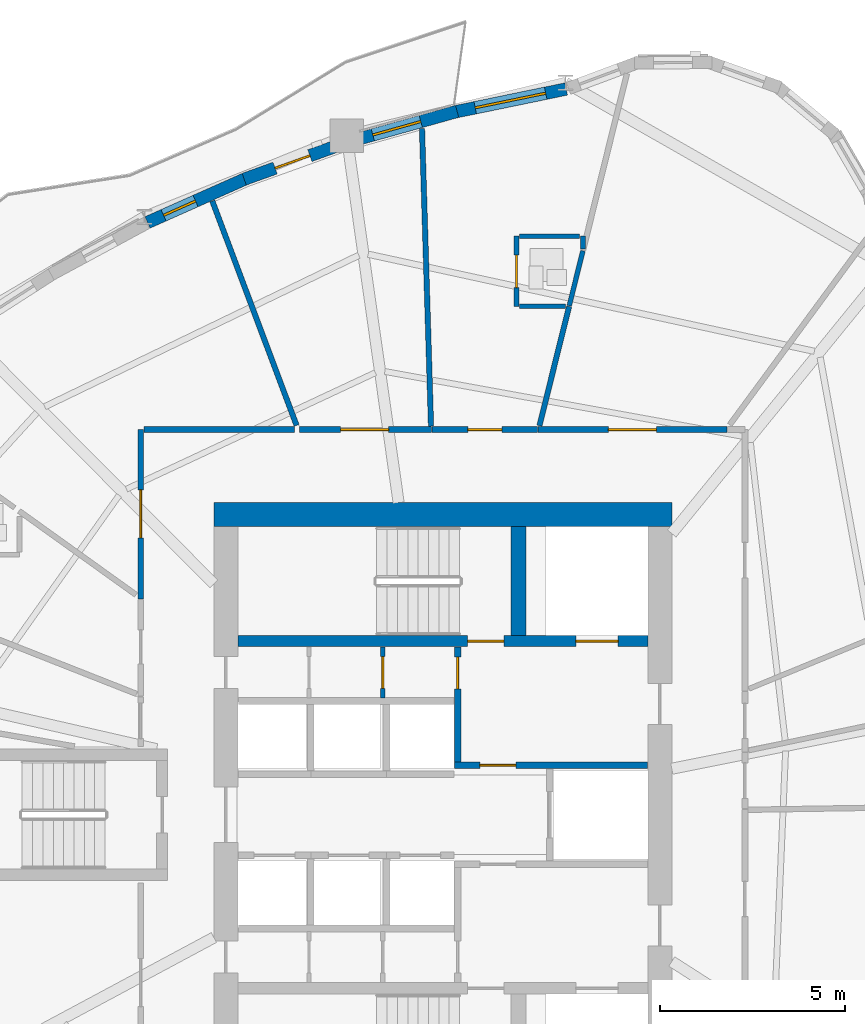
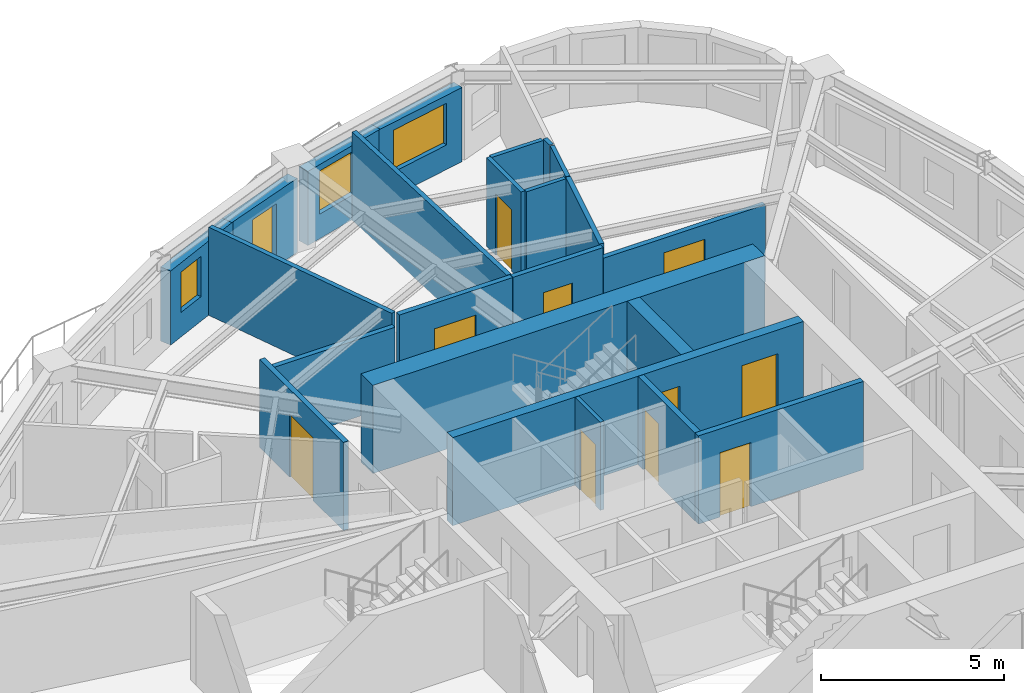
# One storey, part 7 of 14: 23 walls, 11 doors, 3 windows, 14 openings.
"""IFC4 building model written with IfcOpenShell, lengths in metres."""

from ifc_helpers import new_model, si_unit, direction, frame, frame_2d, origin, place, context, subcontext, project, spatial, rectangle, extrude, source, transform, mapped, material, layer, layer_set, type_object, element, fill, save


model = new_model("IFC4")

# Units and contexts
model_context = context("Model", 3, precision=1e-05, world=origin(), true_north=direction((0.0, 1.0)))
body_context = subcontext(model_context, "Body", "Model", "MODEL_VIEW")
ifc_project = project(units=[si_unit("LENGTHUNIT", "METRE"), si_unit("AREAUNIT", "SQUARE_METRE"), si_unit("VOLUMEUNIT", "CUBIC_METRE"), si_unit("PLANEANGLEUNIT", "RADIAN"), si_unit("MASSUNIT", "GRAM", prefix="KILO")], contexts=[model_context])

# Site, building, storey
site_placement = place(None, origin())
site = spatial("IfcSite", under=ifc_project, at=site_placement, CompositionType="ELEMENT")
building_placement = place(site_placement, origin())
building = spatial("IfcBuilding", under=site, at=building_placement, Name="Qafzar Sky-Pleat Residences", CompositionType="ELEMENT")
storey_placement = place(building_placement, frame((0.0, 0.0, 118.39990234375)))
storey = spatial("IfcBuildingStorey", under=building, at=storey_placement, Name="L35", CompositionType="ELEMENT", Elevation=118.39990234375)

# Wall, opening, door
ifc_material_1 = material(Name="Acoustic gypsum plasterboard partition", Category="gypsum")
ifc_layer_1 = layer(ifc_material_1, 0.159912109375)
ifc_layer_set_1 = layer_set([ifc_layer_1], Name="Acoustic gypsum plasterboard partition")
wall_type_1 = type_object("IfcWallType", Name="PART-COR-160", PredefinedType="PARTITIONING", material=ifc_layer_set_1)
wall_1_placement = place(storey_placement, frame((32.925048828125, 36.429931640625, 0.0), z_axis=(0.0, 0.0, 1.0), x_axis=(1.0, 0.0, 0.0)))
wall_1 = element("IfcWall", 1, at=wall_1_placement, inside=storey, type_object=wall_type_1, Name="L35 Partition Wall PART-L35-PW-004", PredefinedType="PARTITIONING", context=body_context, shape_type="SweptSolid", body=[
    extrude(rectangle(XDim=5.117919921875, YDim=0.159912109375, at=frame_2d((2.55908203125, 0.0))), origin(), (0.0, 0.0, 1.0), 2.588134765625),
])
opening_1_placement = place(wall_1_placement, frame((1.907470703125, 0.0, 0.0)))
opening_1 = element("IfcOpeningElement", 2, at=opening_1_placement, cuts=wall_1, Name="Opening ID-05", PredefinedType="OPENING", context=body_context, shape_type="SweptSolid", body=[
    extrude(rectangle(XDim=1.300048828125, YDim=2.10009765625, at=frame_2d((0.64990234375, 1.050048828125))), frame((0.0, 0.08984375, 0.0), z_axis=(0.0, -1.0, 0.0), x_axis=(1.0, 0.0, 0.0)), (0.0, 0.0, 1.0), 0.179931640625),
])
ifc_material_2 = material(Name="Timber-faced fire door", Category="wood")
door_type_1 = type_object("IfcDoorType", Name="DR-LNG-1300", OperationType="DOUBLE_DOOR_SINGLE_SWING", PredefinedType="DOOR", material=ifc_material_2)
shared_shape_1 = source(origin(), body_context, "Body", "SweptSolid", [
    extrude(rectangle(XDim=1.300048828125, YDim=2.10009765625, at=frame_2d((0.64990234375, 1.050048828125))), frame((0.0, 0.02490234375, 0.0), z_axis=(0.0, -1.0, 0.0), x_axis=(1.0, 0.0, 0.0)), (0.0, 0.0, 1.0), 0.050048828125),
])
door_1_placement = place(opening_1_placement, origin())
door_1 = element("IfcDoor", 3, at=door_1_placement, inside=storey, type_object=door_type_1, Name="L35 Tutorial Huddle Room Door", OperationType="DOUBLE_DOOR_SINGLE_SWING", OverallHeight=2.10009765625, OverallWidth=1.300048828125, PredefinedType="DOOR", context=body_context, shape_type="MappedRepresentation", body=[
    mapped(shared_shape_1, transform((0.0, 0.0, 0.0), x_axis=(1.0, 0.0, 0.0), y_axis=(0.0, 1.0, 0.0), z_axis=(0.0, 0.0, 1.0), scale=1.0)),
])
fill(opening_1, door_1)

wall_2_placement = place(storey_placement, frame((22.169921875, 31.843994140625, 0.0), z_axis=(0.0, 0.0, 1.0), x_axis=(0.0, 1.0, 0.0)))
wall_2 = element("IfcWall", 4, at=wall_2_placement, inside=storey, type_object=wall_type_1, Name="L35 Partition Wall PART-L35-PW-007", PredefinedType="PARTITIONING", context=body_context, shape_type="SweptSolid", body=[
    extrude(rectangle(XDim=4.5859375, YDim=0.159912109375, at=frame_2d((2.29296875, 0.0))), origin(), (0.0, 0.0, 1.0), 2.9501953125),
])
opening_2_placement = place(wall_2_placement, frame((1.652587890625, 0.0, 0.0)))
opening_2 = element("IfcOpeningElement", 5, at=opening_2_placement, cuts=wall_2, Name="Opening ID-05", PredefinedType="OPENING", context=body_context, shape_type="SweptSolid", body=[
    extrude(rectangle(XDim=1.300048828125, YDim=2.10009765625, at=frame_2d((0.64990234375, 1.050048828125))), frame((0.0, 0.08984375, 0.0), z_axis=(0.0, -1.0, 0.0), x_axis=(1.0, 0.0, 0.0)), (0.0, 0.0, 1.0), 0.179931640625),
])
door_2_placement = place(opening_2_placement, origin())
door_2 = element("IfcDoor", 6, at=door_2_placement, inside=storey, type_object=door_type_1, Name="L35 Graduate Lecture Room Door", OperationType="DOUBLE_DOOR_SINGLE_SWING", OverallHeight=2.10009765625, OverallWidth=1.300048828125, PredefinedType="DOOR", context=body_context, shape_type="MappedRepresentation", body=[
    mapped(shared_shape_1, transform((0.0, 0.0, 0.0), x_axis=(1.0, 0.0, 0.0), y_axis=(0.0, 1.0, 0.0), z_axis=(0.0, 0.0, 1.0), scale=1.0)),
])
fill(opening_2, door_2)

wall_3_placement = place(storey_placement, frame((26.462890625, 36.429931640625, 0.0), z_axis=(0.0, 0.0, 1.0), x_axis=(1.0, 0.0, 0.0)))
wall_3 = element("IfcWall", 7, at=wall_3_placement, inside=storey, type_object=wall_type_1, Name="L35 Partition Wall PART-L35-PW-009", PredefinedType="PARTITIONING", context=body_context, shape_type="SweptSolid", body=[
    extrude(rectangle(XDim=3.585205078125, YDim=0.159912109375, at=frame_2d((1.79248046875, 0.0))), origin(), (0.0, 0.0, 1.0), 2.9501953125),
])
opening_3_placement = place(wall_3_placement, frame((1.119384765625, 0.0, 0.0)))
opening_3 = element("IfcOpeningElement", 8, at=opening_3_placement, cuts=wall_3, Name="Opening ID-05", PredefinedType="OPENING", context=body_context, shape_type="SweptSolid", body=[
    extrude(rectangle(XDim=1.300048828125, YDim=2.10009765625, at=frame_2d((0.64990234375, 1.050048828125))), frame((0.0, 0.08984375, 0.0), z_axis=(0.0, -1.0, 0.0), x_axis=(1.0, 0.0, 0.0)), (0.0, 0.0, 1.0), 0.179931640625),
])
door_3_placement = place(opening_3_placement, origin())
door_3 = element("IfcDoor", 9, at=door_3_placement, inside=storey, type_object=door_type_1, Name="L35 Communal Kitchen Door", OperationType="DOUBLE_DOOR_SINGLE_SWING", OverallHeight=2.10009765625, OverallWidth=1.300048828125, PredefinedType="DOOR", context=body_context, shape_type="MappedRepresentation", body=[
    mapped(shared_shape_1, transform((0.0, 0.0, 0.0), x_axis=(1.0, 0.0, 0.0), y_axis=(0.0, 1.0, 0.0), z_axis=(0.0, 0.0, 1.0), scale=1.0)),
])
fill(opening_3, door_3)

wall_4_placement = place(storey_placement, frame((30.06298828125, 36.429931640625, 0.0), z_axis=(0.0, 0.0, 1.0), x_axis=(1.0, 0.0, 0.0)))
wall_4 = element("IfcWall", 10, at=wall_4_placement, inside=storey, type_object=wall_type_1, Name="L35 Partition Wall PART-L35-PW-012", PredefinedType="PARTITIONING", context=body_context, shape_type="SweptSolid", body=[
    extrude(rectangle(XDim=2.846923828125, YDim=0.159912109375, at=frame_2d((1.42333984375, 0.0))), origin(), (0.0, 0.0, 1.0), 2.9501953125),
])
opening_4_placement = place(wall_4_placement, frame((0.964111328125, 0.0, 0.0)))
opening_4 = element("IfcOpeningElement", 11, at=opening_4_placement, cuts=wall_4, Name="Opening ID-04", PredefinedType="OPENING", context=body_context, shape_type="SweptSolid", body=[
    extrude(rectangle(XDim=0.919921875, YDim=2.10009765625, at=frame_2d((0.4599609375, 1.050048828125))), frame((0.0, 0.08984375, 0.0), z_axis=(0.0, -1.0, 0.0), x_axis=(1.0, 0.0, 0.0)), (0.0, 0.0, 1.0), 0.179931640625),
])
door_type_2 = type_object("IfcDoorType", Name="DR-BED-920", OperationType="NOTDEFINED", PredefinedType="DOOR", material=ifc_material_2)
shared_shape_2 = source(origin(), body_context, "Body", "SweptSolid", [
    extrude(rectangle(XDim=0.919921875, YDim=2.10009765625, at=frame_2d((0.4599609375, 1.050048828125))), frame((0.0, 0.02490234375, 0.0), z_axis=(0.0, -1.0, 0.0), x_axis=(1.0, 0.0, 0.0)), (0.0, 0.0, 1.0), 0.050048828125),
])
door_4_placement = place(opening_4_placement, origin())
door_4 = element("IfcDoor", 12, at=door_4_placement, inside=storey, type_object=door_type_2, Name="L35 Co-Living Bedroom 1 Door", OperationType="SINGLE_SWING_LEFT", OverallHeight=2.10009765625, OverallWidth=0.919921875, PredefinedType="DOOR", context=body_context, shape_type="MappedRepresentation", body=[
    mapped(shared_shape_2, transform((0.0, 0.0, 0.0), x_axis=(1.0, 0.0, 0.0), y_axis=(0.0, 1.0, 0.0), z_axis=(0.0, 0.0, 1.0), scale=1.0)),
])
fill(opening_4, door_4)

# Wall
wall_5_placement = place(storey_placement, frame((22.258056640625, 36.429931640625, 0.0), z_axis=(0.0, 0.0, 1.0), x_axis=(1.0, 0.0, 0.0)))
element("IfcWall", 13, at=wall_5_placement, inside=storey, type_object=wall_type_1, Name="L35 Partition Wall PART-L35-PW-037", PredefinedType="PARTITIONING", context=body_context, shape_type="SweptSolid", body=[
    extrude(rectangle(XDim=4.074462890625, YDim=0.159912109375, at=frame_2d((2.037109375, 0.0))), origin(), (0.0, 0.0, 1.0), 2.588134765625),
])

# Wall, opening, door
ifc_material_3 = material(Name="Concrete blockwork partition", Category="masonry")
ifc_layer_2 = layer(ifc_material_3, 0.179931640625)
ifc_layer_set_2 = layer_set([ifc_layer_2], Name="Concrete blockwork partition")
wall_type_2 = type_object("IfcWallType", Name="PART-SHAFT-180", PredefinedType="PARTITIONING", material=ifc_layer_set_2)
wall_6_placement = place(storey_placement, frame((30.75, 27.429931640625, 0.0), z_axis=(0.0, 0.0, 1.0), x_axis=(0.0, 1.0, 0.0)))
wall_6 = element("IfcWall", 14, at=wall_6_placement, inside=storey, type_object=wall_type_2, Name="L35 Partition Wall PART-L35-FFL2-W", PredefinedType="PARTITIONING", context=body_context, shape_type="SweptSolid", body=[
    extrude(rectangle(XDim=3.110107421875, YDim=0.179931640625, at=frame_2d((1.55517578125, 0.0))), origin(), (0.0, 0.0, 1.0), 2.9501953125),
])
opening_5_placement = place(wall_6_placement, frame((1.97998046875, 0.0, 0.0)))
opening_5 = element("IfcOpeningElement", 15, at=opening_5_placement, cuts=wall_6, Name="Opening ID-09", PredefinedType="OPENING", context=body_context, shape_type="SweptSolid", body=[
    extrude(rectangle(XDim=0.860107421875, YDim=2.050048828125, at=frame_2d((0.43017578125, 1.02490234375))), frame((0.0, 0.10009765625, 0.0), z_axis=(0.0, -1.0, 0.0), x_axis=(1.0, 0.0, 0.0)), (0.0, 0.0, 1.0), 0.199951171875),
])
door_type_3 = type_object("IfcDoorType", Name="DR-SVC-860", OperationType="NOTDEFINED", PredefinedType="DOOR", material=ifc_material_2)
shared_shape_3 = source(origin(), body_context, "Body", "SweptSolid", [
    extrude(rectangle(XDim=0.860107421875, YDim=2.050048828125, at=frame_2d((0.43017578125, 1.02490234375))), frame((0.0, 0.02490234375, 0.0), z_axis=(0.0, -1.0, 0.0), x_axis=(1.0, 0.0, 0.0)), (0.0, 0.0, 1.0), 0.050048828125),
])
door_5_placement = place(opening_5_placement, origin())
door_5 = element("IfcDoor", 16, at=door_5_placement, inside=storey, type_object=door_type_3, Name="L35 North Core Cupboard Door", OperationType="SINGLE_SWING_RIGHT", OverallHeight=2.050048828125, OverallWidth=0.860107421875, PredefinedType="DOOR", context=body_context, shape_type="MappedRepresentation", body=[
    mapped(shared_shape_3, transform((0.0, 0.0, 0.0), x_axis=(1.0, 0.0, 0.0), y_axis=(0.0, 1.0, 0.0), z_axis=(0.0, 0.0, 1.0), scale=1.0)),
])
fill(opening_5, door_5)

wall_7_placement = place(storey_placement, frame((30.669921875, 27.340087890625, 0.0), z_axis=(0.0, 0.0, 1.0), x_axis=(1.0, 0.0, 0.0)))
wall_7 = element("IfcWall", 17, at=wall_7_placement, inside=storey, type_object=wall_type_2, Name="L35 Partition Wall PART-L35-FFL2-S", PredefinedType="PARTITIONING", context=body_context, shape_type="SweptSolid", body=[
    extrude(rectangle(XDim=5.219970703125, YDim=0.179931640625, at=frame_2d((2.60986328125, 0.0))), origin(), (0.0, 0.0, 1.0), 2.9501953125),
])
opening_6_placement = place(wall_7_placement, frame((0.679931640625, 0.0, 0.0)))
opening_6 = element("IfcOpeningElement", 18, at=opening_6_placement, cuts=wall_7, Name="Opening ID-01", PredefinedType="OPENING", context=body_context, shape_type="SweptSolid", body=[
    extrude(rectangle(XDim=0.97998046875, YDim=2.14990234375, at=frame_2d((0.489990234375, 1.074951171875))), frame((0.0, 0.10009765625, 0.0), z_axis=(0.0, -1.0, 0.0), x_axis=(1.0, 0.0, 0.0)), (0.0, 0.0, 1.0), 0.199951171875),
])
door_type_4 = type_object("IfcDoorType", Name="DR-STAIR-980", OperationType="NOTDEFINED", PredefinedType="DOOR", material=ifc_material_2)
shared_shape_4 = source(origin(), body_context, "Body", "SweptSolid", [
    extrude(rectangle(XDim=0.97998046875, YDim=2.14990234375, at=frame_2d((0.489990234375, 1.074951171875))), frame((0.0, 0.02490234375, 0.0), z_axis=(0.0, -1.0, 0.0), x_axis=(1.0, 0.0, 0.0)), (0.0, 0.0, 1.0), 0.050048828125),
])
door_6_placement = place(opening_6_placement, origin())
door_6 = element("IfcDoor", 19, at=door_6_placement, inside=storey, type_object=door_type_4, Name="L35 Lift Lobby to North Firefighting Lobby Door", OperationType="SINGLE_SWING_LEFT", OverallHeight=2.14990234375, OverallWidth=0.97998046875, PredefinedType="DOOR", context=body_context, shape_type="MappedRepresentation", body=[
    mapped(shared_shape_4, transform((0.0, 0.0, 0.0), x_axis=(1.0, 0.0, 0.0), y_axis=(0.0, 1.0, 0.0), z_axis=(0.0, 0.0, 1.0), scale=1.0)),
])
fill(opening_6, door_6)

ifc_material_4 = material(Name="Gypsum plasterboard partition", Category="gypsum")
ifc_layer_3 = layer(ifc_material_4, 0.114990234375)
ifc_layer_set_3 = layer_set([ifc_layer_3], Name="Gypsum plasterboard partition")
wall_type_3 = type_object("IfcWallType", Name="PART-SVC-115", PredefinedType="PARTITIONING", material=ifc_layer_set_3)
wall_8_placement = place(storey_placement, frame((28.72509765625, 29.159912109375, 0.0), z_axis=(0.0, 0.0, 1.0), x_axis=(0.0, 1.0, 0.0)))
wall_8 = element("IfcWall", 20, at=wall_8_placement, inside=storey, type_object=wall_type_3, Name="L35 Partition Wall PART-L35-KC-NW-2", PredefinedType="PARTITIONING", context=body_context, shape_type="SweptSolid", body=[
    extrude(rectangle(XDim=1.380126953125, YDim=0.114990234375, at=frame_2d((0.68994140625, 0.0))), origin(), (0.0, 0.0, 1.0), 2.9501953125),
])
opening_7_placement = place(wall_8_placement, frame((0.260009765625, 0.0, 0.0)))
opening_7 = element("IfcOpeningElement", 21, at=opening_7_placement, cuts=wall_8, Name="Opening ID-09", PredefinedType="OPENING", context=body_context, shape_type="SweptSolid", body=[
    extrude(rectangle(XDim=0.860107421875, YDim=2.050048828125, at=frame_2d((0.43017578125, 1.02490234375))), frame((0.0, 0.0673828125, 0.0), z_axis=(0.0, -1.0, 0.0), x_axis=(1.0, 0.0, 0.0)), (0.0, 0.0, 1.0), 0.135009765625),
])
door_7_placement = place(opening_7_placement, origin())
door_7 = element("IfcDoor", 22, at=door_7_placement, inside=storey, type_object=door_type_3, Name="L35 Core North Cupboard 2 Door", OperationType="SINGLE_SWING_LEFT", OverallHeight=2.050048828125, OverallWidth=0.860107421875, PredefinedType="DOOR", context=body_context, shape_type="MappedRepresentation", body=[
    mapped(shared_shape_3, transform((0.0, 0.0, 0.0), x_axis=(1.0, 0.0, 0.0), y_axis=(0.0, 1.0, 0.0), z_axis=(0.0, 0.0, 1.0), scale=1.0)),
])
fill(opening_7, door_7)

# Walls
ifc_layer_4 = layer(ifc_material_1, 0.14501953125)
ifc_layer_set_4 = layer_set([ifc_layer_4], Name="Acoustic gypsum plasterboard partition")
wall_type_4 = type_object("IfcWallType", Name="PART-UNIT-145", PredefinedType="PARTITIONING", material=ifc_layer_set_4)
wall_9_placement = place(storey_placement, frame((29.7861328125, 44.578857421875, 0.0), z_axis=(0.0, 0.0, 1.0), x_axis=(0.030281792334, -0.99954140137, 0.0)))
element("IfcWall", 23, at=wall_9_placement, inside=storey, type_object=wall_type_4, Name="L35 Partition Wall PART-L35-PW-024", PredefinedType="PARTITIONING", context=body_context, shape_type="SweptSolid", body=[
    extrude(rectangle(XDim=8.062255859375, YDim=0.14501953125, at=frame_2d((4.03125, 0.0))), origin(), (0.0, 0.0, 1.0), 2.9501953125),
])
wall_10_placement = place(storey_placement, frame((24.106689453125, 42.621337890625, 0.0), z_axis=(0.0, 0.0, 1.0), x_axis=(0.351605509999, -0.93614826034, 0.0)))
element("IfcWall", 24, at=wall_10_placement, inside=storey, type_object=wall_type_4, Name="L35 Partition Wall PART-L35-PW-028", PredefinedType="PARTITIONING", context=body_context, shape_type="SweptSolid", body=[
    extrude(rectangle(XDim=6.492919921875, YDim=0.14501953125, at=frame_2d((3.24658203125, 0.0))), origin(), (0.0, 0.0, 1.0), 2.9501953125),
])
wall_11_placement = place(storey_placement, frame((32.967041015625, 36.53515625, 0.0), z_axis=(0.0, 0.0, 1.0), x_axis=(0.241120890255, 0.970495088232, 0.0)))
element("IfcWall", 25, at=wall_11_placement, inside=storey, type_object=wall_type_4, Name="L35 Partition Wall PART-L35-PW-041", PredefinedType="PARTITIONING", context=body_context, shape_type="SweptSolid", body=[
    extrude(rectangle(XDim=3.330078125, YDim=0.14501953125, at=frame_2d((1.6650390625, 0.0))), origin(), (0.0, 0.0, 1.0), 2.9501953125),
])

# Wall, opening, door
ifc_material_5 = material(Name="Moisture-resistant gypsum partition", Category="gypsum")
ifc_layer_5 = layer(ifc_material_5, 0.1298828125)
ifc_layer_set_5 = layer_set([ifc_layer_5], Name="Moisture-resistant gypsum partition")
wall_type_5 = type_object("IfcWallType", Name="PART-WET-130", PredefinedType="PARTITIONING", material=ifc_layer_set_5)
wall_12_placement = place(storey_placement, frame((32.346923828125, 41.6669921875, 0.0), z_axis=(0.0, 0.0, 1.0), x_axis=(0.0, -1.0, 0.0)))
wall_12 = element("IfcWall", 26, at=wall_12_placement, inside=storey, type_object=wall_type_5, Name="L35 Partition Wall PART-L35-PW-015", PredefinedType="PARTITIONING", context=body_context, shape_type="SweptSolid", body=[
    extrude(rectangle(XDim=1.89990234375, YDim=0.1298828125, at=frame_2d((0.949951171875, 0.0))), origin(), (0.0, 0.0, 1.0), 2.9501953125),
])
opening_8_placement = place(wall_12_placement, frame((0.510009765625, 0.0, 0.0)))
opening_8 = element("IfcOpeningElement", 27, at=opening_8_placement, cuts=wall_12, Name="Opening ID-07", PredefinedType="OPENING", context=body_context, shape_type="SweptSolid", body=[
    extrude(rectangle(XDim=0.8798828125, YDim=2.050048828125, at=frame_2d((0.43994140625, 1.02490234375))), frame((0.0, 0.074951171875, 0.0), z_axis=(0.0, -1.0, 0.0), x_axis=(1.0, 0.0, 0.0)), (0.0, 0.0, 1.0), 0.14990234375),
])
door_type_5 = type_object("IfcDoorType", Name="DR-WET-880", OperationType="NOTDEFINED", PredefinedType="DOOR", material=ifc_material_2)
shared_shape_5 = source(origin(), body_context, "Body", "SweptSolid", [
    extrude(rectangle(XDim=0.8798828125, YDim=2.050048828125, at=frame_2d((0.43994140625, 1.02490234375))), frame((0.0, 0.02490234375, 0.0), z_axis=(0.0, -1.0, 0.0), x_axis=(1.0, 0.0, 0.0)), (0.0, 0.0, 1.0), 0.050048828125),
])
door_8_placement = place(opening_8_placement, origin())
door_8 = element("IfcDoor", 28, at=door_8_placement, inside=storey, type_object=door_type_5, Name="L35 En-suite Bathroom 1 Door", OperationType="SINGLE_SWING_RIGHT", OverallHeight=2.050048828125, OverallWidth=0.8798828125, PredefinedType="DOOR", context=body_context, shape_type="MappedRepresentation", body=[
    mapped(shared_shape_5, transform((0.0, 0.0, 0.0), x_axis=(1.0, 0.0, 0.0), y_axis=(0.0, 1.0, 0.0), z_axis=(0.0, 0.0, 1.0), scale=1.0)),
])
fill(opening_8, door_8)

# Walls
wall_13_placement = place(storey_placement, frame((32.419921875, 41.6669921875, 0.0), z_axis=(0.0, 0.0, 1.0), x_axis=(1.0, 0.0, 0.0)))
element("IfcWall", 29, at=wall_13_placement, inside=storey, type_object=wall_type_5, Name="L35 Partition Wall PART-L35-PW-045", PredefinedType="PARTITIONING", context=body_context, shape_type="SweptSolid", body=[
    extrude(rectangle(XDim=1.628173828125, YDim=0.1298828125, at=frame_2d((0.81396484375, 0.0))), origin(), (0.0, 0.0, 1.0), 2.9501953125),
])
wall_14_placement = place(storey_placement, frame((33.773681640625, 39.781494140625, 0.0), z_axis=(0.0, 0.0, 1.0), x_axis=(0.240776504653, 0.970580586457, 0.0)))
element("IfcWall", 30, at=wall_14_placement, inside=storey, type_object=wall_type_5, Name="L35 Partition Wall PART-L35-PW-047", PredefinedType="PARTITIONING", context=body_context, shape_type="SweptSolid", body=[
    extrude(rectangle(XDim=1.53515625, YDim=0.1298828125, at=frame_2d((0.767578125, 0.0))), origin(), (0.0, 0.0, 1.0), 2.9501953125),
])
wall_15_placement = place(storey_placement, frame((32.419921875, 39.76708984375, 0.0), z_axis=(0.0, 0.0, 1.0), x_axis=(1.0, 0.0, 0.0)))
element("IfcWall", 31, at=wall_15_placement, inside=storey, type_object=wall_type_5, Name="L35 Partition Wall PART-L35-PW-048", PredefinedType="PARTITIONING", context=body_context, shape_type="SweptSolid", body=[
    extrude(rectangle(XDim=1.251220703125, YDim=0.1298828125, at=frame_2d((0.62548828125, 0.0))), origin(), (0.0, 0.0, 1.0), 2.9501953125),
])
wall_16_placement = place(storey_placement, frame((34.14697265625, 41.31689453125, 0.0), z_axis=(0.0, 0.0, 1.0), x_axis=(0.0, 1.0, 0.0)))
element("IfcWall", 32, at=wall_16_placement, inside=storey, type_object=wall_type_5, Name="L35 Partition Wall PART-L35-PW-057", PredefinedType="PARTITIONING", context=body_context, shape_type="SweptSolid", body=[
    extrude(rectangle(XDim=0.35009765625, YDim=0.1298828125, at=frame_2d((0.175048828125, 0.0))), origin(), (0.0, 0.0, 1.0), 2.9501953125),
])

# Wall, opening, window
ifc_material_6 = material(Name="Precast concrete C40/50 with honed Riyadh limestone", Category="concrete")
ifc_layer_6 = layer(ifc_material_6, 0.340087890625)
ifc_layer_set_6 = layer_set([ifc_layer_6], Name="Precast concrete C40/50 with honed Riyadh limestone")
wall_type_6 = type_object("IfcWallType", Name="WALL-EXT-340", PredefinedType="SOLIDWALL", material=ifc_layer_set_6)
wall_17_placement = place(storey_placement, frame((33.69140625, 45.6533203125, 0.0), z_axis=(0.0, 0.0, 1.0), x_axis=(-0.979414063846, -0.201861565287, 0.0)))
wall_17 = element("IfcWall", 33, at=wall_17_placement, inside=storey, type_object=wall_type_6, Name="L35 Limestone Facade Wall 39", PredefinedType="SOLIDWALL", context=body_context, shape_type="SweptSolid", body=[
    extrude(rectangle(XDim=3.103515625, YDim=0.340087890625, at=frame_2d((1.5517578125, 0.0))), origin(), (0.0, 0.0, 1.0), 2.47998046875),
])
opening_9_placement = place(wall_17_placement, frame((0.566650390625, 0.0, 0.820068359375)))
opening_9 = element("IfcOpeningElement", 34, at=opening_9_placement, cuts=wall_17, Name="Opening WN-08", PredefinedType="OPENING", context=body_context, shape_type="SweptSolid", body=[
    extrude(rectangle(XDim=1.949951171875, YDim=1.39990234375, at=frame_2d((0.97509765625, 0.699951171875))), frame((0.0, 0.18017578125, 0.0), z_axis=(0.0, -1.0, 0.0), x_axis=(1.0, 0.0, 0.0)), (0.0, 0.0, 1.0), 0.360107421875),
])
ifc_material_7 = material(Name="Solar-control low-E glass in bronze aluminium frame", Category="glass")
window_type_1 = type_object("IfcWindowType", Name="WIN-08", PartitioningType="DOUBLE_PANEL_VERTICAL", PredefinedType="WINDOW", material=ifc_material_7)
shared_shape_6 = source(origin(), body_context, "Body", "SweptSolid", [
    extrude(rectangle(XDim=1.949951171875, YDim=1.39990234375, at=frame_2d((0.97509765625, 0.699951171875))), frame((0.0, 0.030029296875, 0.0), z_axis=(0.0, -1.0, 0.0), x_axis=(1.0, 0.0, 0.0)), (0.0, 0.0, 1.0), 0.06005859375),
])
window_1_placement = place(opening_9_placement, origin())
window_1 = element("IfcWindow", 35, at=window_1_placement, inside=storey, type_object=window_type_1, Name="L35 Punched Facade Window 39", OverallHeight=1.39990234375, OverallWidth=1.949951171875, PartitioningType="SINGLE_PANEL", PredefinedType="WINDOW", context=body_context, shape_type="MappedRepresentation", body=[
    mapped(shared_shape_6, transform((0.0, 0.0, 0.0), x_axis=(1.0, 0.0, 0.0), y_axis=(0.0, 1.0, 0.0), z_axis=(0.0, 0.0, 1.0), scale=1.0)),
])
fill(opening_9, window_1)

wall_18_placement = place(storey_placement, frame((30.7373046875, 45.047607421875, 0.0), z_axis=(0.0, 0.0, 1.0), x_axis=(-0.963026728711, -0.26940586443, 0.0)))
wall_18 = element("IfcWall", 36, at=wall_18_placement, inside=storey, type_object=wall_type_6, Name="L35 Limestone Facade Wall 40", PredefinedType="SOLIDWALL", context=body_context, shape_type="SweptSolid", body=[
    extrude(rectangle(XDim=2.8291015625, YDim=0.340087890625, at=frame_2d((1.41455078125, 0.0))), origin(), (0.0, 0.0, 1.0), 2.47998046875),
])
opening_10_placement = place(wall_18_placement, frame((1.021484375, 0.0, 0.820068359375)))
opening_10 = element("IfcOpeningElement", 37, at=opening_10_placement, cuts=wall_18, Name="Opening WN-04", PredefinedType="OPENING", context=body_context, shape_type="SweptSolid", body=[
    extrude(rectangle(XDim=1.35009765625, YDim=1.449951171875, at=frame_2d((0.675048828125, 0.72509765625))), frame((0.0, 0.18017578125, 0.0), z_axis=(0.0, -1.0, 0.0), x_axis=(1.0, 0.0, 0.0)), (0.0, 0.0, 1.0), 0.360107421875),
])
window_type_2 = type_object("IfcWindowType", Name="WIN-04", PartitioningType="SINGLE_PANEL", PredefinedType="WINDOW", material=ifc_material_7)
shared_shape_7 = source(origin(), body_context, "Body", "SweptSolid", [
    extrude(rectangle(XDim=1.35009765625, YDim=1.449951171875, at=frame_2d((0.675048828125, 0.72509765625))), frame((0.0, 0.030029296875, 0.0), z_axis=(0.0, -1.0, 0.0), x_axis=(1.0, 0.0, 0.0)), (0.0, 0.0, 1.0), 0.06005859375),
])
window_2_placement = place(opening_10_placement, origin())
window_2 = element("IfcWindow", 38, at=window_2_placement, inside=storey, type_object=window_type_2, Name="L35 Punched Facade Window 40-2", OverallHeight=1.449951171875, OverallWidth=1.35009765625, PartitioningType="SINGLE_PANEL", PredefinedType="WINDOW", context=body_context, shape_type="MappedRepresentation", body=[
    mapped(shared_shape_7, transform((0.0, 0.0, 0.0), x_axis=(1.0, 0.0, 0.0), y_axis=(0.0, 1.0, 0.0), z_axis=(0.0, 0.0, 1.0), scale=1.0)),
])
fill(opening_10, window_2)

# Wall, opening, door
wall_19_placement = place(storey_placement, frame((27.58642578125, 44.1494140625, 0.0), z_axis=(0.0, 0.0, 1.0), x_axis=(-0.941112277287, -0.338094190338, 0.0)))
wall_19 = element("IfcWall", 39, at=wall_19_placement, inside=storey, type_object=wall_type_6, Name="L35 Limestone Facade Wall 41", PredefinedType="SOLIDWALL", context=body_context, shape_type="SweptSolid", body=[
    extrude(rectangle(XDim=2.779296875, YDim=0.340087890625, at=frame_2d((1.3896484375, 0.0))), origin(), (0.0, 0.0, 1.0), 2.47998046875),
])
opening_11_placement = place(wall_19_placement, frame((0.889892578125, 0.0, 0.0)))
opening_11 = element("IfcOpeningElement", 40, at=opening_11_placement, cuts=wall_19, Name="Opening ED-05", PredefinedType="OPENING", context=body_context, shape_type="SweptSolid", body=[
    extrude(rectangle(XDim=1.0, YDim=2.10009765625, at=frame_2d((0.5, 1.050048828125))), frame((0.0, 0.18017578125, 0.0), z_axis=(0.0, -1.0, 0.0), x_axis=(1.0, 0.0, 0.0)), (0.0, 0.0, 1.0), 0.360107421875),
])
ifc_material_8 = material(Name="Glazed bronze aluminium door", Category="aluminium")
door_type_6 = type_object("IfcDoorType", Name="DR-BAL-1000", OperationType="NOTDEFINED", PredefinedType="DOOR", material=ifc_material_8)
shared_shape_8 = source(origin(), body_context, "Body", "SweptSolid", [
    extrude(rectangle(XDim=1.0, YDim=2.10009765625, at=frame_2d((0.5, 1.050048828125))), frame((0.0, 0.02490234375, 0.0), z_axis=(0.0, -1.0, 0.0), x_axis=(1.0, 0.0, 0.0)), (0.0, 0.0, 1.0), 0.050048828125),
])
door_9_placement = place(opening_11_placement, origin())
door_9 = element("IfcDoor", 41, at=door_9_placement, inside=storey, type_object=door_type_6, Name="L35 Glazed Balcony Door 2", OperationType="SINGLE_SWING_LEFT", OverallHeight=2.10009765625, OverallWidth=1.0, PredefinedType="DOOR", context=body_context, shape_type="MappedRepresentation", body=[
    mapped(shared_shape_8, transform((0.0, 0.0, 0.0), x_axis=(1.0, 0.0, 0.0), y_axis=(0.0, 1.0, 0.0), z_axis=(0.0, 0.0, 1.0), scale=1.0)),
])
fill(opening_11, door_9)

# Wall, opening, window
wall_20_placement = place(storey_placement, frame((25.052978515625, 43.24267578125, 0.0), z_axis=(0.0, 0.0, 1.0), x_axis=(-0.91339900063, -0.407065431655, 0.0)))
wall_20 = element("IfcWall", 42, at=wall_20_placement, inside=storey, type_object=wall_type_6, Name="L35 Limestone Facade Wall 42", PredefinedType="SOLIDWALL", context=body_context, shape_type="SweptSolid", body=[
    extrude(rectangle(XDim=2.956298828125, YDim=0.340087890625, at=frame_2d((1.47802734375, 0.0))), origin(), (0.0, 0.0, 1.0), 2.47998046875),
])
opening_12_placement = place(wall_20_placement, frame((1.53125, 0.0, 0.820068359375)))
opening_12 = element("IfcOpeningElement", 43, at=opening_12_placement, cuts=wall_20, Name="Opening WN-12", PredefinedType="OPENING", context=body_context, shape_type="SweptSolid", body=[
    extrude(rectangle(XDim=0.949951171875, YDim=1.35009765625, at=frame_2d((0.47509765625, 0.675048828125))), frame((0.0, 0.18017578125, 0.0), z_axis=(0.0, -1.0, 0.0), x_axis=(1.0, 0.0, 0.0)), (0.0, 0.0, 1.0), 0.360107421875),
])
window_type_3 = type_object("IfcWindowType", Name="WIN-12", PartitioningType="SINGLE_PANEL", PredefinedType="WINDOW", material=ifc_material_7)
shared_shape_9 = source(origin(), body_context, "Body", "SweptSolid", [
    extrude(rectangle(XDim=0.949951171875, YDim=1.35009765625, at=frame_2d((0.47509765625, 0.675048828125))), frame((0.0, 0.030029296875, 0.0), z_axis=(0.0, -1.0, 0.0), x_axis=(1.0, 0.0, 0.0)), (0.0, 0.0, 1.0), 0.06005859375),
])
window_3_placement = place(opening_12_placement, origin())
window_3 = element("IfcWindow", 44, at=window_3_placement, inside=storey, type_object=window_type_3, Name="L35 Punched Facade Window 42-2", OverallHeight=1.35009765625, OverallWidth=0.949951171875, PartitioningType="SINGLE_PANEL", PredefinedType="WINDOW", context=body_context, shape_type="MappedRepresentation", body=[
    mapped(shared_shape_9, transform((0.0, 0.0, 0.0), x_axis=(1.0, 0.0, 0.0), y_axis=(0.0, 1.0, 0.0), z_axis=(0.0, 0.0, 1.0), scale=1.0)),
])
fill(opening_12, window_3)

# Wall, openings, doors
ifc_material_9 = material(Name="Concrete C60/75", Category="concrete")
ifc_layer_7 = layer(ifc_material_9, 0.300048828125)
ifc_layer_set_7 = layer_set([ifc_layer_7], Name="Concrete C60/75")
wall_type_7 = type_object("IfcWallType", Name="WALL-SHEAR-300", PredefinedType="SHEAR", material=ifc_layer_set_7)
wall_21_placement = place(storey_placement, frame((24.800048828125, 30.699951171875, 0.0), z_axis=(0.0, 0.0, 1.0), x_axis=(1.0, 0.0, 0.0)))
wall_21 = element("IfcWall", 45, at=wall_21_placement, inside=storey, type_object=wall_type_7, Name="L35 Stair ST2 and FF2 Shaft South Wall", PredefinedType="SHEAR", context=body_context, shape_type="SweptSolid", body=[
    extrude(rectangle(XDim=11.099853515625, YDim=0.300048828125, at=frame_2d((5.5498046875, 0.0))), origin(), (0.0, 0.0, 1.0), 2.9501953125),
])
opening_13_placement = place(wall_21_placement, frame((6.219970703125, 0.0, 0.0)))
opening_13 = element("IfcOpeningElement", 46, at=opening_13_placement, cuts=wall_21, Name="Opening ID-01", PredefinedType="OPENING", context=body_context, shape_type="SweptSolid", body=[
    extrude(rectangle(XDim=0.97998046875, YDim=2.14990234375, at=frame_2d((0.489990234375, 1.074951171875))), frame((0.0, 0.16015625, 0.0), z_axis=(0.0, -1.0, 0.0), x_axis=(1.0, 0.0, 0.0)), (0.0, 0.0, 1.0), 0.320068359375),
])
opening_14_placement = place(wall_21_placement, frame((9.14990234375, 0.0, 0.0)))
opening_14 = element("IfcOpeningElement", 47, at=opening_14_placement, cuts=wall_21, Name="Opening LD-02", PredefinedType="OPENING", context=body_context, shape_type="SweptSolid", body=[
    extrude(rectangle(XDim=1.14990234375, YDim=2.14990234375, at=frame_2d((0.574951171875, 1.074951171875))), frame((0.0, 0.16015625, 0.0), z_axis=(0.0, -1.0, 0.0), x_axis=(1.0, 0.0, 0.0)), (0.0, 0.0, 1.0), 0.320068359375),
])
door_10_placement = place(opening_13_placement, origin())
door_10 = element("IfcDoor", 48, at=door_10_placement, inside=storey, type_object=door_type_4, Name="L35 Stair ST2 Fire Door", OperationType="SINGLE_SWING_RIGHT", OverallHeight=2.14990234375, OverallWidth=0.97998046875, PredefinedType="DOOR", context=body_context, shape_type="MappedRepresentation", body=[
    mapped(shared_shape_4, transform((0.0, 0.0, 0.0), x_axis=(1.0, 0.0, 0.0), y_axis=(0.0, 1.0, 0.0), z_axis=(0.0, 0.0, 1.0), scale=1.0)),
])
fill(opening_13, door_10)
ifc_material_10 = material(Name="Stainless steel sliding landing door", Category="steel")
door_type_7 = type_object("IfcDoorType", Name="DR-LIFT-FF", OperationType="DOUBLE_DOOR_SLIDING", PredefinedType="DOOR", material=ifc_material_10)
shared_shape_10 = source(origin(), body_context, "Body", "SweptSolid", [
    extrude(rectangle(XDim=1.14990234375, YDim=2.14990234375, at=frame_2d((0.574951171875, 1.074951171875))), frame((0.0, 0.02490234375, 0.0), z_axis=(0.0, -1.0, 0.0), x_axis=(1.0, 0.0, 0.0)), (0.0, 0.0, 1.0), 0.050048828125),
])
door_11_placement = place(opening_14_placement, origin())
door_11 = element("IfcDoor", 49, at=door_11_placement, inside=storey, type_object=door_type_7, Name="L35 Firefighting Lift FF2 Landing Door", OperationType="DOUBLE_DOOR_SLIDING", OverallHeight=2.14990234375, OverallWidth=1.14990234375, PredefinedType="DOOR", context=body_context, shape_type="MappedRepresentation", body=[
    mapped(shared_shape_10, transform((0.0, 0.0, 0.0), x_axis=(1.0, 0.0, 0.0), y_axis=(0.0, 1.0, 0.0), z_axis=(0.0, 0.0, 1.0), scale=1.0)),
])
fill(opening_14, door_11)

# Walls
ifc_layer_8 = layer(ifc_material_9, 0.39990234375)
ifc_layer_set_8 = layer_set([ifc_layer_8], Name="Concrete C60/75")
wall_type_8 = type_object("IfcWallType", Name="WALL-SHEAR-400", PredefinedType="SHEAR", material=ifc_layer_set_8)
wall_22_placement = place(storey_placement, frame((32.39990234375, 30.85009765625, 0.0), z_axis=(0.0, 0.0, 1.0), x_axis=(0.0, 1.0, 0.0)))
element("IfcWall", 50, at=wall_22_placement, inside=storey, type_object=wall_type_8, Name="L35 Stair ST2 East Dividing Wall", PredefinedType="SHEAR", context=body_context, shape_type="SweptSolid", body=[
    extrude(rectangle(XDim=2.949951171875, YDim=0.39990234375, at=frame_2d((1.47509765625, 0.0))), origin(), (0.0, 0.0, 1.0), 2.9501953125),
])
ifc_layer_9 = layer(ifc_material_9, 0.64990234375)
ifc_layer_set_9 = layer_set([ifc_layer_9], Name="Concrete C60/75")
wall_type_9 = type_object("IfcWallType", Name="WALL-SHEAR-650", PredefinedType="SHEAR", material=ifc_layer_set_9)
wall_23_placement = place(storey_placement, frame((36.550048828125, 34.125, 0.0), z_axis=(0.0, 0.0, 1.0), x_axis=(-1.0, 0.0, 0.0)))
element("IfcWall", 51, at=wall_23_placement, inside=storey, type_object=wall_type_9, Name="L35 CORE wall N", PredefinedType="SHEAR", context=body_context, shape_type="SweptSolid", body=[
    extrude(rectangle(XDim=12.400146484375, YDim=0.64990234375, at=frame_2d((6.2001953125, 0.0))), origin(), (0.0, 0.0, 1.0), 2.9501953125),
])

save(model, "model.ifc")
